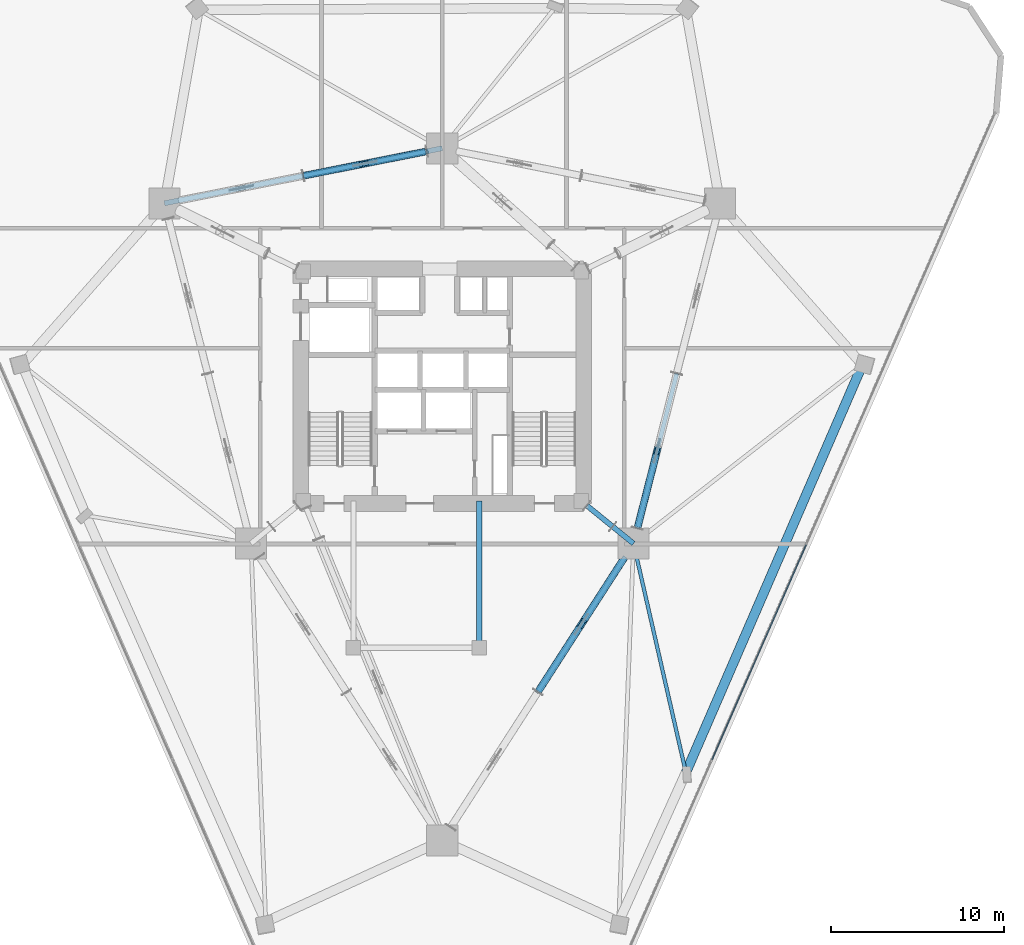
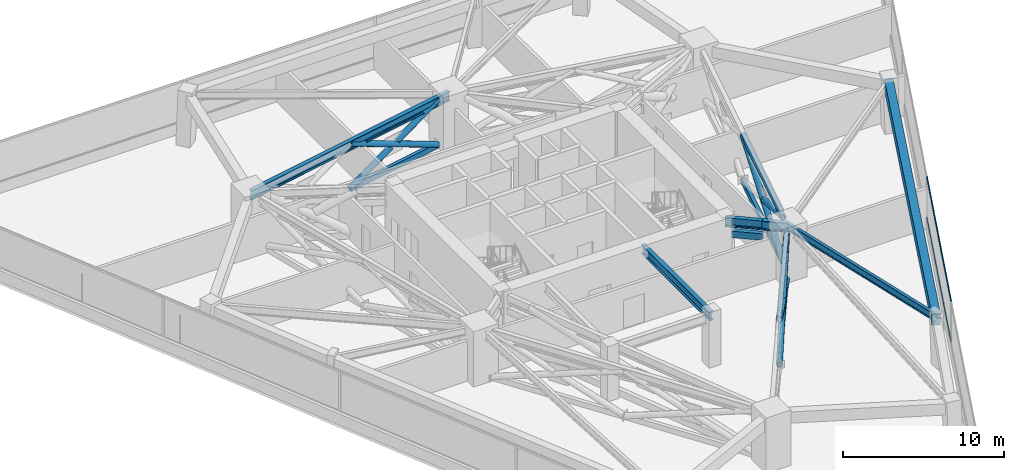
# One storey, part 9 of 20: 18 members, 5 beams, 1 element without a shape of its own.
"""IFC4 building model written with IfcOpenShell, lengths in metres."""

from ifc_helpers import new_model, si_unit, direction, frame, origin, origin_2d, place, context, subcontext, project, spatial, rectangle, hollow_rectangle, hollow_circle, i_section, extrude, material, layer, layer_set, material_profile, profile_set, type_object, element, aggregate, save


model = new_model("IFC4")

# Units and contexts
model_context = context("Model", 3, precision=1e-05, world=origin(), true_north=direction((0.0, 1.0)))
body_context = subcontext(model_context, "Body", "Model", "MODEL_VIEW")
ifc_project = project(units=[si_unit("LENGTHUNIT", "METRE"), si_unit("AREAUNIT", "SQUARE_METRE"), si_unit("VOLUMEUNIT", "CUBIC_METRE"), si_unit("PLANEANGLEUNIT", "RADIAN"), si_unit("MASSUNIT", "GRAM", prefix="KILO")], contexts=[model_context])

# Site, building, storey
site_placement = place(None, origin())
site = spatial("IfcSite", under=ifc_project, at=site_placement, CompositionType="ELEMENT")
building_placement = place(site_placement, origin())
building = spatial("IfcBuilding", under=site, at=building_placement, Name="Talyreon Biosciences Tower", CompositionType="ELEMENT")
storey_placement = place(building_placement, frame((0.0, 0.0, 70.800048828125)))
storey = spatial("IfcBuildingStorey", under=building, at=storey_placement, Name="L18", CompositionType="ELEMENT", Elevation=70.800048828125)

# Members
ifc_material_1 = material(Name="Steel SM355", Category="steel")
ifc_material_profile_1 = material_profile(ifc_material_1, hollow_circle(Radius=0.203125, WallThickness=0.01611328125, at=origin_2d()), Name="CHS 406.4x16")
ifc_profile_set_1 = profile_set([ifc_material_profile_1], Name="Steel SM355")
member_type_1 = type_object("IfcMemberType", Name="BeltBrace_CHS406", PredefinedType="BRACE", material=ifc_profile_set_1)
member_1_placement = place(storey_placement, frame((71.543212890625, 50.273681640625, 0.239990234375), z_axis=(0.508099784477, 0.788922796945, 0.345594313429), x_axis=(-0.840724883889, 0.541462528352, 0.0)))
element("IfcMember", 1, at=member_1_placement, inside=storey, type_object=member_type_1, Name="L18 Continuous Diagonal BELT-L18-B1S2A", PredefinedType="BRACE", context=body_context, shape_type="SweptSolid", body=[
    extrude(hollow_circle(Radius=0.203125, WallThickness=0.01611328125, at=origin_2d()), origin(), (0.0, 0.0, 1.0), 9.939453125),
])
member_2_placement = place(storey_placement, frame((76.593505859375, 58.115234375, 0.239990234375), z_axis=(-0.508088975577, -0.788943486155, 0.345562973349), x_axis=(0.840736591054, -0.541444350292, 0.0)))
element("IfcMember", 2, at=member_2_placement, inside=storey, type_object=member_type_1, Name="L18 Split Diagonal BELT-L18-B1S2B-Lower", PredefinedType="BRACE", context=body_context, shape_type="SweptSolid", body=[
    extrude(hollow_circle(Radius=0.203125, WallThickness=0.01611328125, at=origin_2d()), origin(), (0.0, 0.0, 1.0), 4.689697265625),
])
member_3_placement = place(storey_placement, frame((73.926025390625, 53.9736328125, 2.05419921875), z_axis=(-0.50807983491, -0.788929292834, 0.345608813931), x_axis=(0.840736591054, -0.541444350292, 0.0)))
element("IfcMember", 3, at=member_3_placement, inside=storey, type_object=member_type_1, Name="L18 Split Diagonal BELT-L18-B1S2B-Upper", PredefinedType="BRACE", context=body_context, shape_type="SweptSolid", body=[
    extrude(hollow_circle(Radius=0.203125, WallThickness=0.01611328125, at=origin_2d()), origin(), (0.0, 0.0, 1.0), 4.68994140625),
])
member_4_placement = place(storey_placement, frame((77.310546875, 59.76220703125, 0.239990234375), z_axis=(0.23115197416, 0.908668937551, 0.347691712255), x_axis=(-0.969134278925, 0.246533465097, 0.0)))
element("IfcMember", 4, at=member_4_placement, inside=storey, type_object=member_type_1, Name="L18 Continuous Diagonal BELT-L18-B2S1A", PredefinedType="BRACE", context=body_context, shape_type="SweptSolid", body=[
    extrude(hollow_circle(Radius=0.203125, WallThickness=0.01611328125, at=origin_2d()), origin(), (0.0, 0.0, 1.0), 9.879638671875),
])
member_5_placement = place(storey_placement, frame((78.3876953125, 63.99658203125, 2.054931640625), z_axis=(-0.231151139103, -0.90867755136, 0.347669755006), x_axis=(0.969135050079, -0.246530433634, 0.0)))
element("IfcMember", 5, at=member_5_placement, inside=storey, type_object=member_type_1, Name="L18 Split Diagonal BELT-L18-B2S1B-Upper", PredefinedType="BRACE", context=body_context, shape_type="SweptSolid", body=[
    extrude(hollow_circle(Radius=0.203125, WallThickness=0.01611328125, at=origin_2d()), origin(), (0.0, 0.0, 1.0), 4.659912109375),
])
member_6_placement = place(storey_placement, frame((65.107421875, 81.612060546875, 0.239990234375), z_axis=(-0.887531743195, -0.175829476032, 0.425877212562), x_axis=(0.194333747367, -0.980935469149, 0.0)))
element("IfcMember", 6, at=member_6_placement, inside=storey, type_object=member_type_1, Name="L18 Continuous Diagonal BELT-L18-B4S1A", PredefinedType="BRACE", context=body_context, shape_type="SweptSolid", body=[
    extrude(hollow_circle(Radius=0.203125, WallThickness=0.01611328125, at=origin_2d()), origin(), (0.0, 0.0, 1.0), 8.06591796875),
])
for number, where, z_axis, x_axis, name in (
    (7, (57.94873046875, 80.19384765625, 0.239990234375), (0.887542694608, 0.175843135932, 0.425848748729), (-0.194345967112, 0.980933048208, 0.0), "L18 Split Diagonal BELT-L18-B4S1B-Lower"),
    (8, (61.776611328125, 80.9521484375, 2.07666015625), (0.887518105706, 0.175838264291, 0.425902003816), (-0.194345967112, 0.980933048208, 0.0), "L18 Split Diagonal BELT-L18-B4S1B-Upper"),
):
    element("IfcMember", number, at=place(storey_placement, frame(where, z_axis=z_axis, x_axis=x_axis)), inside=storey, type_object=member_type_1, Name=name, PredefinedType="BRACE", context=body_context, shape_type="SweptSolid", body=[
        extrude(hollow_circle(Radius=0.203125, WallThickness=0.01611328125, at=origin_2d()), origin(), (0.0, 0.0, 1.0), 3.7529296875),
    ])
ifc_material_profile_2 = material_profile(ifc_material_1, hollow_rectangle(XDim=0.25, YDim=0.39990234375, WallThickness=0.01611328125, at=origin_2d()), Name="RHS 400x250x16")
ifc_profile_set_2 = profile_set([ifc_material_profile_2], Name="Steel SM355")
member_type_2 = type_object("IfcMemberType", Name="BeltChord_RHS400x250", PredefinedType="CHORD", material=ifc_profile_set_2)
for number, where, z_axis, x_axis, name in (
    (9, (71.543212890625, 50.273681640625, 0.239990234375), (0.541462528352, 0.840724883889, 0.0), (-0.840724883889, 0.541462528352, 0.0), "L18 Truss Bottom Chord BELT-L18-B1S2"),
    (10, (71.543212890625, 50.273681640625, 3.675048828125), (0.541462528352, 0.840724883889, 0.0), (-0.840724883889, 0.541462528352, 0.0), "L18 Truss Top Chord BELT-L18-B1S2"),
):
    element("IfcMember", number, at=place(storey_placement, frame(where, z_axis=z_axis, x_axis=x_axis)), inside=storey, type_object=member_type_2, Name=name, PredefinedType="CHORD", context=body_context, shape_type="SweptSolid", body=[
        extrude(hollow_rectangle(XDim=0.25, YDim=0.39990234375, WallThickness=0.01611328125, at=origin_2d()), origin(), (0.0, 0.0, 1.0), 9.3271484375),
    ])
for number, where, z_axis, x_axis, name in (
    (11, (77.310546875, 59.76220703125, 0.239990234375), (0.246533465097, 0.969134278925, 0.0), (-0.969134278925, 0.246533465097, 0.0), "L18 Truss Bottom Chord BELT-L18-B2S1"),
    (12, (77.310546875, 59.76220703125, 3.675048828125), (0.246533465097, 0.969134278925, 0.0), (-0.969134278925, 0.246533465097, 0.0), "L18 Truss Top Chord BELT-L18-B2S1"),
):
    element("IfcMember", number, at=place(storey_placement, frame(where, z_axis=z_axis, x_axis=x_axis)), inside=storey, type_object=member_type_2, Name=name, PredefinedType="CHORD", context=body_context, shape_type="SweptSolid", body=[
        extrude(hollow_rectangle(XDim=0.25, YDim=0.39990234375, WallThickness=0.01611328125, at=origin_2d()), origin(), (0.0, 0.0, 1.0), 9.26318359375),
    ])
for number, where, z_axis, x_axis, name in (
    (13, (65.107421875, 81.612060546875, 0.239990234375), (-0.980935469149, -0.194333747367, 0.0), (0.194333747367, -0.980935469149, 0.0), "L18 Truss Bottom Chord BELT-L18-B4S1"),
    (14, (65.107421875, 81.612060546875, 3.675048828125), (-0.980935469149, -0.194333747367, 0.0), (0.194333747367, -0.980935469149, 0.0), "L18 Truss Top Chord BELT-L18-B4S1"),
):
    element("IfcMember", number, at=place(storey_placement, frame(where, z_axis=z_axis, x_axis=x_axis)), inside=storey, type_object=member_type_2, Name=name, PredefinedType="CHORD", context=body_context, shape_type="SweptSolid", body=[
        extrude(hollow_rectangle(XDim=0.25, YDim=0.39990234375, WallThickness=0.01611328125, at=origin_2d()), origin(), (0.0, 0.0, 1.0), 7.2978515625),
    ])

# Curtain wall, members
ifc_material_2 = material(Name="Thermally broken aluminium and low-E glazing", Category="aluminium")
ifc_layer = layer(ifc_material_2, 0.195068359375)
ifc_layer_set = layer_set([ifc_layer], Name="Thermally broken aluminium and low-E glazing")
curtain_wall_type = type_object("IfcCurtainWallType", Name="CurtainWall_Zone1WetLab", PredefinedType="NOTDEFINED", material=ifc_layer_set)
curtain_wall_placement = place(storey_placement, origin())
curtain_wall = element("IfcCurtainWall", 15, at=curtain_wall_placement, inside=storey, type_object=curtain_wall_type, Name="L18 Unitised Curtain Wall FCW-L18-08", PredefinedType="NOTDEFINED")
ifc_material_3 = material(Name="Anodised thermally broken aluminium", Category="aluminium")
ifc_material_profile_3 = material_profile(ifc_material_3, rectangle(XDim=0.06494140625, YDim=0.139892578125, at=origin_2d()), Name="ALUM TRANSOM 65x140")
ifc_profile_set_3 = profile_set([ifc_material_profile_3], Name="Anodised thermally broken aluminium")
member_type_3 = type_object("IfcMemberType", Name="CWTransom_65x140", PredefinedType="USERDEFINED", material=ifc_profile_set_3)
member_7_placement = place(storey_placement, frame((87.087646484375, 58.80029296875, 0.842529296875), z_axis=(-0.40082449197, -0.916154859528, 0.0), x_axis=(0.916154859528, -0.40082449197, 0.0)))
member_7 = element("IfcMember", 16, at=member_7_placement, type_object=member_type_3, Name="CW2 transom 3.1", ObjectType="TRANSOM", PredefinedType="USERDEFINED", context=body_context, shape_type="SweptSolid", body=[
    extrude(rectangle(XDim=0.06494140625, YDim=0.139892578125, at=origin_2d()), origin(), (0.0, 0.0, 1.0), 13.58154296875),
])
member_8_placement = place(storey_placement, frame((87.087646484375, 58.80029296875, 3.892333984375), z_axis=(-0.40082449197, -0.916154859528, 0.0), x_axis=(0.916154859528, -0.40082449197, 0.0)))
member_8 = element("IfcMember", 17, at=member_8_placement, type_object=member_type_3, Name="CW2 transom 3.2", ObjectType="TRANSOM", PredefinedType="USERDEFINED", context=body_context, shape_type="SweptSolid", body=[
    extrude(rectangle(XDim=0.06494140625, YDim=0.139892578125, at=origin_2d()), origin(), (0.0, 0.0, 1.0), 13.58154296875),
])
aggregate(curtain_wall, [member_7, member_8])

# Beam
ifc_material_4 = material(Name="Precast concrete C45/55", Category="concrete")
ifc_material_profile_4 = material_profile(ifc_material_4, rectangle(XDim=0.550048828125, YDim=0.85009765625, at=origin_2d()), Name="RCB 550x850")
ifc_profile_set_4 = profile_set([ifc_material_profile_4], Name="Precast concrete C45/55")
beam_type_1 = type_object("IfcBeamType", Name="ExpressedSpandrel_550x850", PredefinedType="SPANDREL", material=ifc_profile_set_4)
beam_1_placement = place(storey_placement, frame((80.12353515625, 45.605712890625, 3.5), z_axis=(0.397222171612, 0.917722477866, 0.0), x_axis=(-0.917722477866, 0.397222171612, 0.0)))
element("IfcBeam", 18, at=beam_1_placement, inside=storey, type_object=beam_type_1, Name="L18 Expressed Horizontal Concrete Spandrel 03", PredefinedType="SPANDREL", context=body_context, shape_type="SweptSolid", body=[
    extrude(rectangle(XDim=0.550048828125, YDim=0.85009765625, at=origin_2d()), origin(), (0.0, 0.0, 1.0), 25.753173828125),
])

# Members
ifc_material_profile_5 = material_profile(ifc_material_1, hollow_rectangle(XDim=0.300048828125, YDim=0.5, WallThickness=0.02001953125, at=origin_2d()), Name="RHS 500x300x20")
ifc_profile_set_5 = profile_set([ifc_material_profile_5], Name="Steel SM355")
member_type_4 = type_object("IfcMemberType", Name="OutriggerChord_RHS500x300", PredefinedType="CHORD", material=ifc_profile_set_5)
for number, where, z_axis, x_axis, name in (
    (19, (74.387451171875, 61.075439453125, 3.675048828125), (0.775805820068, -0.63097173435, 0.0), (0.63097173435, 0.775805820068, 0.0), "L18 Outrigger Core Top Tie 2"),
    (20, (74.387451171875, 61.075439453125, 2.699951171875), (0.775805820068, -0.63097173435, 0.0), (0.63097173435, 0.775805820068, 0.0), "L18 Outrigger Core Plenum Tie 2"),
):
    element("IfcMember", number, at=place(storey_placement, frame(where, z_axis=z_axis, x_axis=x_axis)), inside=storey, type_object=member_type_4, Name=name, PredefinedType="CHORD", context=body_context, shape_type="SweptSolid", body=[
        extrude(hollow_rectangle(XDim=0.300048828125, YDim=0.5, WallThickness=0.02001953125, at=origin_2d()), origin(), (0.0, 0.0, 1.0), 1.914794921875),
    ])

# Beams
ifc_material_profile_6 = material_profile(ifc_material_1, i_section(OverallWidth=0.300048828125, OverallDepth=0.699951171875, WebThickness=0.01708984375, FlangeThickness=0.031982421875, FilletRadius=0.027099609375, at=origin_2d()), Name="HE700B")
ifc_profile_set_6 = profile_set([ifc_material_profile_6], Name="Steel SM355")
beam_type_2 = type_object("IfcBeamType", Name="SteelGirder_HE700B", PredefinedType="BEAM", material=ifc_profile_set_6)
beam_2_placement = place(storey_placement, frame((66.0, 81.788818359375, 3.574951171875), z_axis=(-0.980933730698, -0.194342522311, 0.0), x_axis=(0.194342522311, -0.980933730698, 0.0)))
element("IfcBeam", 21, at=beam_2_placement, inside=storey, type_object=beam_type_2, Name="L18 Mega-Ring Girder 4", PredefinedType="BEAM", context=body_context, shape_type="SweptSolid", body=[
    extrude(i_section(OverallWidth=0.300048828125, OverallDepth=0.699951171875, WebThickness=0.01708984375, FlangeThickness=0.031982421875, FilletRadius=0.027099609375, at=origin_2d()), origin(), (0.0, 0.0, 1.0), 16.415283203125),
])
beam_3_placement = place(storey_placement, frame((74.050048828125, 61.35009765625, 3.574951171875), z_axis=(0.775755154013, -0.631034025249, 0.0), x_axis=(0.631034025249, 0.775755154013, 0.0)))
element("IfcBeam", 22, at=beam_3_placement, inside=storey, type_object=beam_type_2, Name="L18 Radial Primary Girder 2", PredefinedType="BEAM", context=body_context, shape_type="SweptSolid", body=[
    extrude(i_section(OverallWidth=0.300048828125, OverallDepth=0.699951171875, WebThickness=0.01708984375, FlangeThickness=0.031982421875, FilletRadius=0.027099609375, at=origin_2d()), origin(), (0.0, 0.0, 1.0), 3.913818359375),
])
beam_4_placement = place(storey_placement, frame((68.14990234375, 52.840087890625, 3.574951171875), z_axis=(0.0, 1.0, 0.0), x_axis=(-1.0, 0.0, 0.0)))
element("IfcBeam", 23, at=beam_4_placement, inside=storey, type_object=beam_type_2, Name="L18 Crown Shaft Tie Girder E", PredefinedType="BEAM", context=body_context, shape_type="SweptSolid", body=[
    extrude(i_section(OverallWidth=0.300048828125, OverallDepth=0.699951171875, WebThickness=0.01708984375, FlangeThickness=0.031982421875, FilletRadius=0.027099609375, at=origin_2d()), origin(), (0.0, 0.0, 1.0), 8.510009765625),
])
ifc_material_profile_7 = material_profile(ifc_material_1, i_section(OverallWidth=0.2099609375, OverallDepth=0.550048828125, WebThickness=0.010986328125, FlangeThickness=0.01708984375, FilletRadius=0.02392578125, at=origin_2d()), Name="IPE550")
ifc_profile_set_7 = profile_set([ifc_material_profile_7], Name="Steel SM355")
beam_type_3 = type_object("IfcBeamType", Name="SteelJoist_IPE550", PredefinedType="JOIST", material=ifc_profile_set_7)
beam_5_placement = place(storey_placement, frame((77.086181640625, 58.88037109375, 3.64990234375), z_axis=(0.223044342894, -0.974808299669, 0.0), x_axis=(0.974808299669, 0.223044342894, 0.0)))
element("IfcBeam", 24, at=beam_5_placement, inside=storey, type_object=beam_type_3, Name="L18 Radial Composite Floor Joist PL-SE", PredefinedType="JOIST", context=body_context, shape_type="SweptSolid", body=[
    extrude(i_section(OverallWidth=0.2099609375, OverallDepth=0.550048828125, WebThickness=0.010986328125, FlangeThickness=0.01708984375, FilletRadius=0.02392578125, at=origin_2d()), origin(), (0.0, 0.0, 1.0), 13.61767578125),
])

save(model, "model.ifc")
